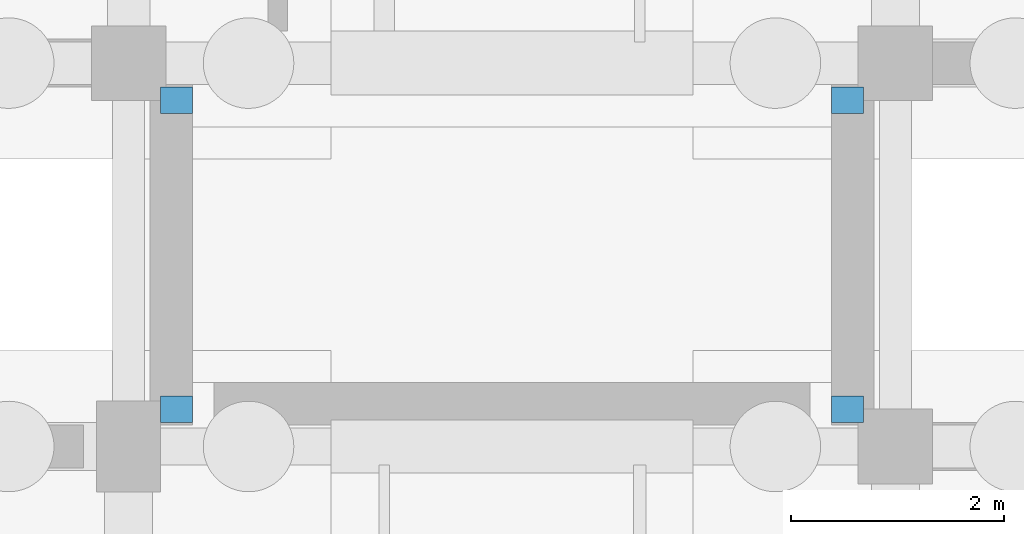
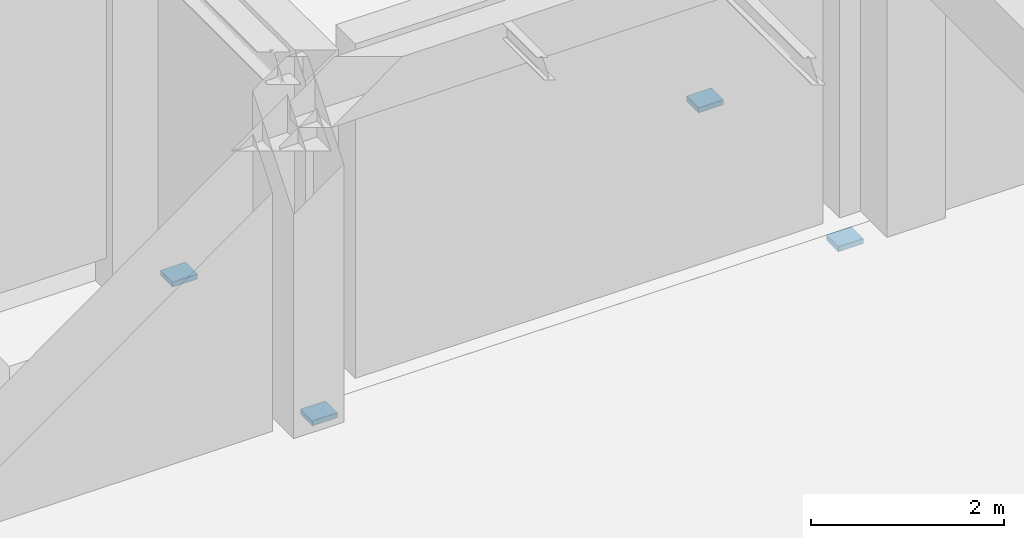
# One storey, part 54 of 63: 4 discrete accessories.
"""IFC4 building model written with IfcOpenShell, lengths in metres."""

from ifc_helpers import new_model, si_unit, direction, frame, origin, origin_2d, place, context, subcontext, project, spatial, rectangle, extrude, material, type_object, element, save


model = new_model("IFC4")

# Units and contexts
model_context = context("Model", 3, precision=1e-05, world=origin(), true_north=direction((0.0, 1.0)))
body_context = subcontext(model_context, "Body", "Model", "MODEL_VIEW")
ifc_project = project(units=[si_unit("LENGTHUNIT", "METRE"), si_unit("AREAUNIT", "SQUARE_METRE"), si_unit("VOLUMEUNIT", "CUBIC_METRE"), si_unit("PLANEANGLEUNIT", "RADIAN"), si_unit("MASSUNIT", "GRAM", prefix="KILO")], contexts=[model_context])

# Site, building, storey
site_placement = place(None, origin())
site = spatial("IfcSite", under=ifc_project, at=site_placement, CompositionType="ELEMENT")
building_placement = place(site_placement, origin())
building = spatial("IfcBuilding", under=site, at=building_placement, Name="Mazaris Harbour Polytechnic", CompositionType="ELEMENT")
storey_placement = place(building_placement, frame((0.0, 0.0, -4.5)))
storey = spatial("IfcBuildingStorey", under=building, at=storey_placement, Name="B1", CompositionType="ELEMENT", Elevation=-4.5)

# Discrete accessories
ifc_material = material(Name="Steel S355", Category="steel")
discrete_accessory_type = type_object("IfcDiscreteAccessoryType", Name="PTFE Sliding Bridge Bearing 300x250x65", PredefinedType="BRACKET", material=ifc_material)
for number, where, z_axis, x_axis, name in (
    (1, (130.050048828125, 43.550048828125, -0.445068359375), (0.0, 0.0, 1.0), (1.0, 0.0, 0.0), "PB-NE B1 PTFE Sliding Bearing S1"),
    (2, (136.35009765625, 43.550048828125, -0.445068359375), (0.0, 0.0, 1.0), (1.0, 0.0, 0.0), "PB-NE B1 PTFE Sliding Bearing S2"),
    (3, (130.050048828125, 46.449951171875, -0.445068359375), (0.0, 0.0, 1.0), (1.0, 0.0, 0.0), "PB-NE B1 PTFE Sliding Bearing N1"),
    (4, (136.35009765625, 46.449951171875, -0.445068359375), (0.0, 0.0, 1.0), (1.0, 0.0, 0.0), "PB-NE B1 PTFE Sliding Bearing N2"),
):
    element("IfcDiscreteAccessory", number, at=place(storey_placement, frame(where, z_axis=z_axis, x_axis=x_axis)), inside=storey, type_object=discrete_accessory_type, Name=name, PredefinedType="BRACKET", context=body_context, shape_type="SweptSolid", body=[
        extrude(rectangle(XDim=0.300048828125, YDim=0.25, at=origin_2d()), origin(), (0.0, 0.0, 1.0), 0.06494140625),
    ])

save(model, "model.ifc")
